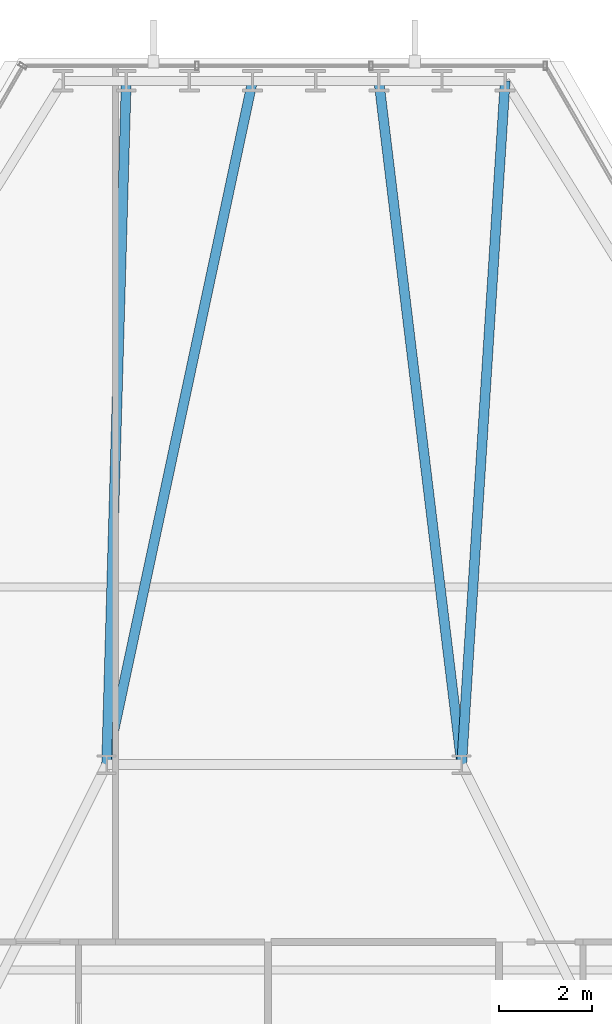
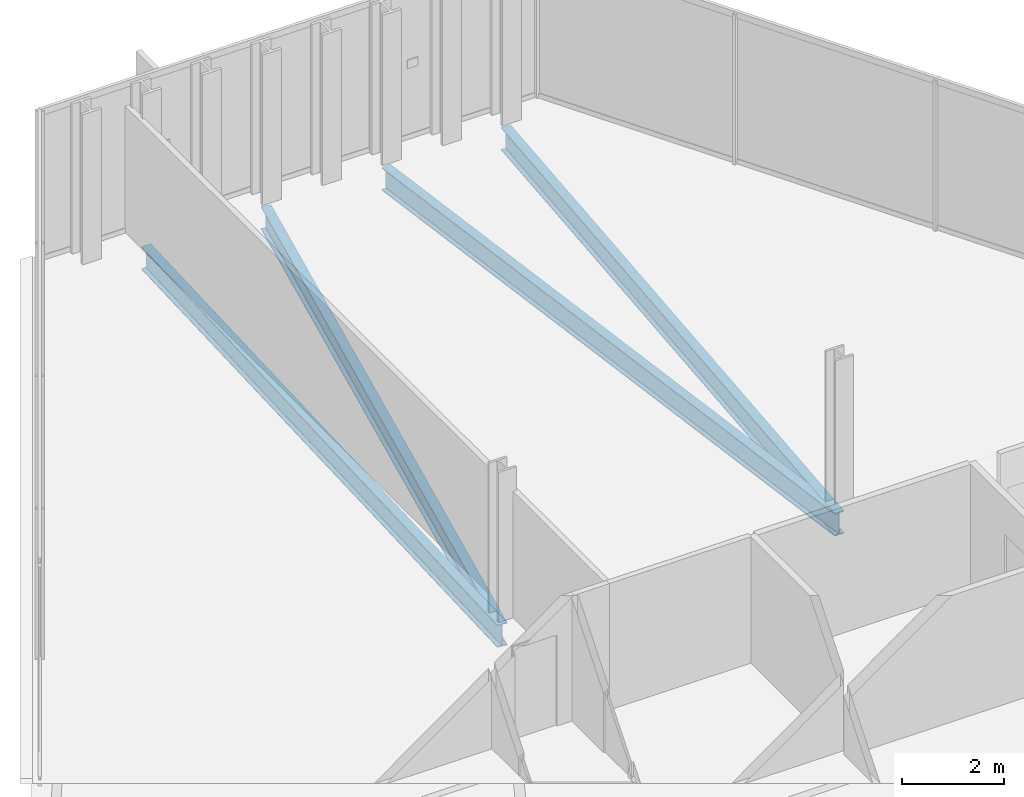
# One storey, part 22 of 33: 4 beams.
"""IFC4 building model written with IfcOpenShell, lengths in metres."""

import ifcopenshell
import ifcopenshell.guid

model = None  # the IFC model being written
_history = None  # IfcOwnerHistory: only IFC2X3 demands one
_inside = {}  # id of a spatial element -> (the spatial element, [elements in it])
_under = {}  # id of a project, library or spatial element -> (it, [spatial elements below it])
_declared = {}  # id of a project -> (the project, [libraries it declares])
_typed = {}  # id of a type object -> (the type object, [elements of that type])
_made_of = {}  # id of a material, layer set ... -> (it, [elements and type objects made of it])


def new_model(schema):
    """Start an empty IFC model of exactly this schema.

    Asked for "IFC4X3", IfcOpenShell would pick the latest addendum, in which some entities
    have other attributes; the version numbers below select the first issue.
    IFC2X3 requires an IfcOwnerHistory on every rooted entity: one is made here for all.
    """
    global model, _history
    if schema == "IFC4X3":
        model = ifcopenshell.file(schema_version=(4, 3, 0, 0))
    else:
        model = ifcopenshell.file(schema=schema)
    _inside.clear()
    _under.clear()
    _declared.clear()
    _typed.clear()
    _made_of.clear()
    _history = None
    if model.schema == "IFC2X3":
        org = make("IfcOrganization", Name="unknown")
        user = make(
            "IfcPersonAndOrganization",
            ThePerson=make("IfcPerson", FamilyName="unknown"),
            TheOrganization=org,
        )
        app = make(
            "IfcApplication",
            ApplicationDeveloper=org,
            Version="unknown",
            ApplicationFullName="unknown",
            ApplicationIdentifier="unknown",
        )
        _history = make(
            "IfcOwnerHistory",
            OwningUser=user,
            OwningApplication=app,
            ChangeAction="ADDED",
            CreationDate=0,
        )
    return model


def make(cls, **values):
    """One entity of the class cls with the attributes given. An attribute that is None is left unset."""
    return model.create_entity(
        cls, **{name: value for name, value in values.items() if value is not None}
    )


def rooted(cls, **values):
    """An entity with a GlobalId (a new one), such as an element, a storey or a relation."""
    return make(cls, GlobalId=ifcopenshell.guid.new(), OwnerHistory=_history, **values)


def si_unit(unit_type, name, prefix=None):
    """IfcSIUnit, for example si_unit("LENGTHUNIT", "METRE", prefix="MILLI")."""
    return make("IfcSIUnit", UnitType=unit_type, Prefix=prefix, Name=name)


def assignment(units):
    """IfcUnitAssignment: the units of a project."""
    return None if units is None else make("IfcUnitAssignment", Units=units)


def point(xyz):
    """IfcCartesianPoint."""
    return None if xyz is None else make("IfcCartesianPoint", Coordinates=xyz)


def direction(xyz):
    """IfcDirection."""
    return None if xyz is None else make("IfcDirection", DirectionRatios=xyz)


def frame(location, z_axis=None, x_axis=None):
    """IfcAxis2Placement3D, a coordinate frame: its origin and axes. An axis left out is left unset."""
    return make(
        "IfcAxis2Placement3D",
        Location=point(location),
        Axis=direction(z_axis),
        RefDirection=direction(x_axis),
    )


def frame_2d(location, x_axis=None):
    """IfcAxis2Placement2D, a coordinate frame in the plane: its origin and x axis."""
    return make(
        "IfcAxis2Placement2D", Location=point(location), RefDirection=direction(x_axis)
    )


def origin():
    """The frame at (0, 0, 0) with its axes left unset."""
    return frame((0.0, 0.0, 0.0))


def origin_2d():
    """The frame at (0, 0) in the plane with its x axis left unset."""
    return frame_2d((0.0, 0.0))


def place(relative_to, where):
    """IfcLocalPlacement: puts the frame where relative to a parent placement (None: the world)."""
    return make(
        "IfcLocalPlacement", PlacementRelTo=relative_to, RelativePlacement=where
    )


def context(
    kind, dimensions, precision=None, world=None, true_north=None, identifier=None
):
    """IfcGeometricRepresentationContext, for example the 3D "Model" context."""
    return make(
        "IfcGeometricRepresentationContext",
        ContextIdentifier=identifier,
        ContextType=kind,
        CoordinateSpaceDimension=dimensions,
        Precision=precision,
        WorldCoordinateSystem=world,
        TrueNorth=true_north,
    )


def subcontext(parent, identifier, kind, view, scale=None):
    """IfcGeometricRepresentationSubContext, for example "Body" below "Model"."""
    return make(
        "IfcGeometricRepresentationSubContext",
        ContextIdentifier=identifier,
        ContextType=kind,
        ParentContext=parent,
        TargetScale=scale,
        TargetView=view,
    )


def project(units=None, contexts=None):
    """IfcProject with its units and contexts."""
    return rooted(
        "IfcProject",
        Name="project",
        RepresentationContexts=contexts,
        UnitsInContext=assignment(units),
    )


def spatial(cls, under=None, at=None, **own):
    """A site, building, storey or space (cls), placed at a placement, below another one or the project."""
    s = rooted(cls, ObjectPlacement=at, **own)
    if under is not None:
        _under.setdefault(under.id(), (under, []))[1].append(s)
    return s


def profile(cls, at=None, kind="AREA", **sizes):
    """A parametric profile (cls). Its sizes go by their IFC names, for example OverallWidth=200.0."""
    return make(cls, ProfileType=kind, Position=at, **sizes)


def i_section(**sizes):
    """IfcIShapeProfileDef."""
    return profile("IfcIShapeProfileDef", **sizes)


def extrude(swept, where, along, depth):
    """IfcExtrudedAreaSolid: the profile swept, set in the frame where, extruded along a direction by depth."""
    return make(
        "IfcExtrudedAreaSolid",
        SweptArea=swept,
        Position=where,
        ExtrudedDirection=direction(along),
        Depth=depth,
    )


def shape(context_of_items, identifier, shape_type, items):
    """IfcShapeRepresentation: the items that make up one representation, for example the "Body"."""
    return make(
        "IfcShapeRepresentation",
        ContextOfItems=context_of_items,
        RepresentationIdentifier=identifier,
        RepresentationType=shape_type,
        Items=items,
    )


def material(Name=None, Category=None):
    """IfcMaterial."""
    return make("IfcMaterial", Name=Name, Category=Category)


def material_profile(
    of_material, cross_section, Name=None, Category=None, Priority=None
):
    """IfcMaterialProfile: a cross section and its material."""
    return make(
        "IfcMaterialProfile",
        Name=Name,
        Material=of_material,
        Profile=cross_section,
        Priority=Priority,
        Category=Category,
    )


def profile_set(profiles, Name=None, composite=None):
    """IfcMaterialProfileSet."""
    return make(
        "IfcMaterialProfileSet",
        Name=Name,
        MaterialProfiles=profiles,
        CompositeProfile=composite,
    )


def made_of(thing, what):
    """Note that an element or type object is made of a material, layer set ...; save() writes the relation."""
    if what is not None:
        _made_of.setdefault(what.id(), (what, []))[1].append(thing)
    return thing


def type_object(cls, material=None, **own):
    """A type object (cls), such as IfcWallType, which elements share."""
    return made_of(rooted(cls, **own), material)


def element(
    cls,
    number,
    at=None,
    inside=None,
    cuts=None,
    type_object=None,
    material=None,
    context=None,
    identifier="Body",
    shape_type=None,
    held_by="IfcProductDefinitionShape",
    body=None,
    shapes=None,
    **own,
):
    """One element of the class cls, such as IfcWall. Its Tag is "e" and its number.

    at: its placement. inside: the storey or other place that contains it. cuts: it is an
    opening in that element (IfcRelVoidsElement). A single representation is given by context,
    identifier, shape_type and body (its items); several are given by shapes. held_by: the class
    of the entity that holds the representations. save() writes the other relations.
    """
    e = rooted(cls, Tag="e%d" % number, ObjectPlacement=at, **own)
    if body is not None:
        shapes = [shape(context, identifier, shape_type, body)]
    if shapes is not None:
        e.Representation = make(held_by, Representations=shapes)
    if inside is not None:
        _inside.setdefault(inside.id(), (inside, []))[1].append(e)
    if cuts is not None:
        rooted(
            "IfcRelVoidsElement", RelatingBuildingElement=cuts, RelatedOpeningElement=e
        )
    if type_object is not None:
        _typed.setdefault(type_object.id(), (type_object, []))[1].append(e)
    return made_of(e, material)


def aggregate(whole, parts):
    """IfcRelAggregates: a whole, such as a stair, and the parts it consists of."""
    return rooted("IfcRelAggregates", RelatingObject=whole, RelatedObjects=parts)


def save(model, path):
    """Write the relations noted so far, then the file.

    IfcRelAggregates (storeys below a building ...), IfcRelContainedInSpatialStructure (elements
    in a storey), IfcRelDefinesByType, IfcRelAssociatesMaterial and IfcRelDeclares: one each for
    every whole, place, type object, material and project.
    """
    for whole, parts in _under.values():
        aggregate(whole, parts)
    for where, things in _inside.values():
        rooted(
            "IfcRelContainedInSpatialStructure",
            RelatedElements=things,
            RelatingStructure=where,
        )
    for kind, things in _typed.values():
        rooted("IfcRelDefinesByType", RelatedObjects=things, RelatingType=kind)
    for what, things in _made_of.values():
        rooted("IfcRelAssociatesMaterial", RelatedObjects=things, RelatingMaterial=what)
    for by, libraries in _declared.values():
        rooted("IfcRelDeclares", RelatingContext=by, RelatedDefinitions=libraries)
    model.write(path)


model = new_model("IFC4")

# Units and contexts
model_context = context("Model", 3, precision=1e-05, world=origin(), true_north=direction((0.0, 1.0)))
body_context = subcontext(model_context, "Body", "Model", "MODEL_VIEW")
ifc_project = project(units=[si_unit("LENGTHUNIT", "METRE"), si_unit("AREAUNIT", "SQUARE_METRE"), si_unit("VOLUMEUNIT", "CUBIC_METRE"), si_unit("PLANEANGLEUNIT", "RADIAN"), si_unit("MASSUNIT", "GRAM", prefix="KILO")], contexts=[model_context])

# Site, building, storey
site_placement = place(None, origin())
site = spatial("IfcSite", under=ifc_project, at=site_placement, CompositionType="ELEMENT")
building_placement = place(site_placement, origin())
building = spatial("IfcBuilding", under=site, at=building_placement, Name="Ndaravel Arena Tower", CompositionType="ELEMENT")
storey_placement = place(building_placement, frame((0.0, 0.0, 149.800048828125)))
storey = spatial("IfcBuildingStorey", under=building, at=storey_placement, Name="L35", CompositionType="ELEMENT", Elevation=149.800048828125)

# Beams
ifc_material = material(Name="Steel S355", Category="steel")
ifc_material_profile = material_profile(ifc_material, i_section(OverallWidth=0.210693359375, OverallDepth=0.53955078125, WebThickness=0.01171875, FlangeThickness=0.018798828125, FilletRadius=0.0126953125, at=origin_2d()), Name="UB 533x210x109")
ifc_profile_set = profile_set([ifc_material_profile], Name="Steel S355")
beam_type = type_object("IfcBeamType", Name="BM-GIRD-UB533", PredefinedType="BEAM", material=ifc_profile_set)
beam_1_placement = place(storey_placement, frame((46.731201171875, 45.833740234375, -0.48974609375), z_axis=(-0.063501873165, -0.997981719324, 0.0), x_axis=(0.997981719324, -0.063501873165, 0.0)))
element("IfcBeam", 1, at=beam_1_placement, inside=storey, type_object=beam_type, Name="L35 Radial Floor Girder FG-11", PredefinedType="BEAM", context=body_context, shape_type="SweptSolid", body=[
    extrude(i_section(OverallWidth=0.210693359375, OverallDepth=0.53955078125, WebThickness=0.01171875, FlangeThickness=0.018798828125, FilletRadius=0.0126953125, at=origin_2d()), origin(), (0.0, 0.0, 1.0), 14.663330078125),
])
beam_2_placement = place(storey_placement, frame((44.027587890625, 45.833740234375, -0.48974609375), z_axis=(0.120242335277, -0.99274456977, 0.0), x_axis=(0.99274456977, 0.120242335277, 0.0)))
element("IfcBeam", 2, at=beam_2_placement, inside=storey, type_object=beam_type, Name="L35 Radial Floor Girder FG-13", PredefinedType="BEAM", context=body_context, shape_type="SweptSolid", body=[
    extrude(i_section(OverallWidth=0.210693359375, OverallDepth=0.53955078125, WebThickness=0.01171875, FlangeThickness=0.018798828125, FilletRadius=0.0126953125, at=origin_2d()), origin(), (0.0, 0.0, 1.0), 14.74072265625),
])
beam_3_placement = place(storey_placement, frame((41.32421875, 45.833740234375, -0.48974609375), z_axis=(-0.208791402451, -0.977960198711, 0.0), x_axis=(0.977960198711, -0.208791402451, 0.0)))
element("IfcBeam", 3, at=beam_3_placement, inside=storey, type_object=beam_type, Name="L35 Radial Floor Girder FG-15", PredefinedType="BEAM", context=body_context, shape_type="SweptSolid", body=[
    extrude(i_section(OverallWidth=0.210693359375, OverallDepth=0.53955078125, WebThickness=0.01171875, FlangeThickness=0.018798828125, FilletRadius=0.0126953125, at=origin_2d()), origin(), (0.0, 0.0, 1.0), 14.963623046875),
])
beam_4_placement = place(storey_placement, frame((38.62060546875, 45.833740234375, -0.48974609375), z_axis=(-0.028733543285, -0.999587106505, 0.0), x_axis=(0.999587106505, -0.028733543285, 0.0)))
element("IfcBeam", 4, at=beam_4_placement, inside=storey, type_object=beam_type, Name="L35 Radial Floor Girder FG-17", PredefinedType="BEAM", context=body_context, shape_type="SweptSolid", body=[
    extrude(i_section(OverallWidth=0.210693359375, OverallDepth=0.53955078125, WebThickness=0.01171875, FlangeThickness=0.018798828125, FilletRadius=0.0126953125, at=origin_2d()), origin(), (0.0, 0.0, 1.0), 14.639892578125),
])

save(model, "model.ifc")
